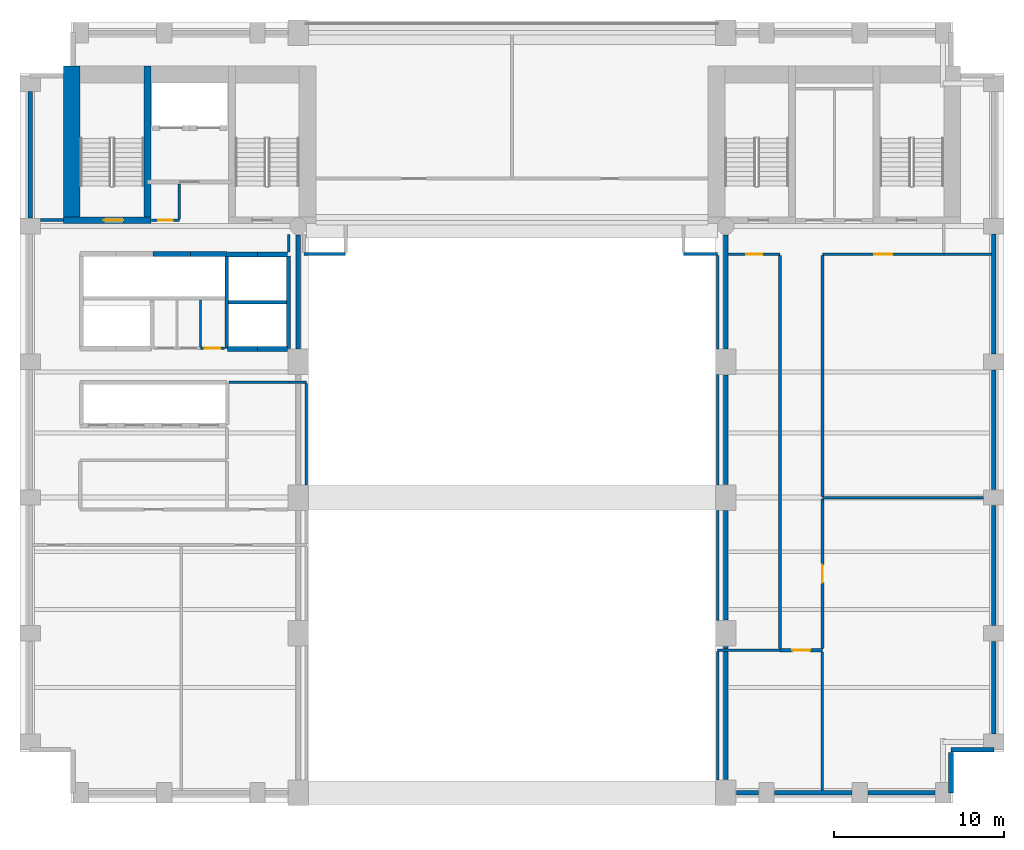
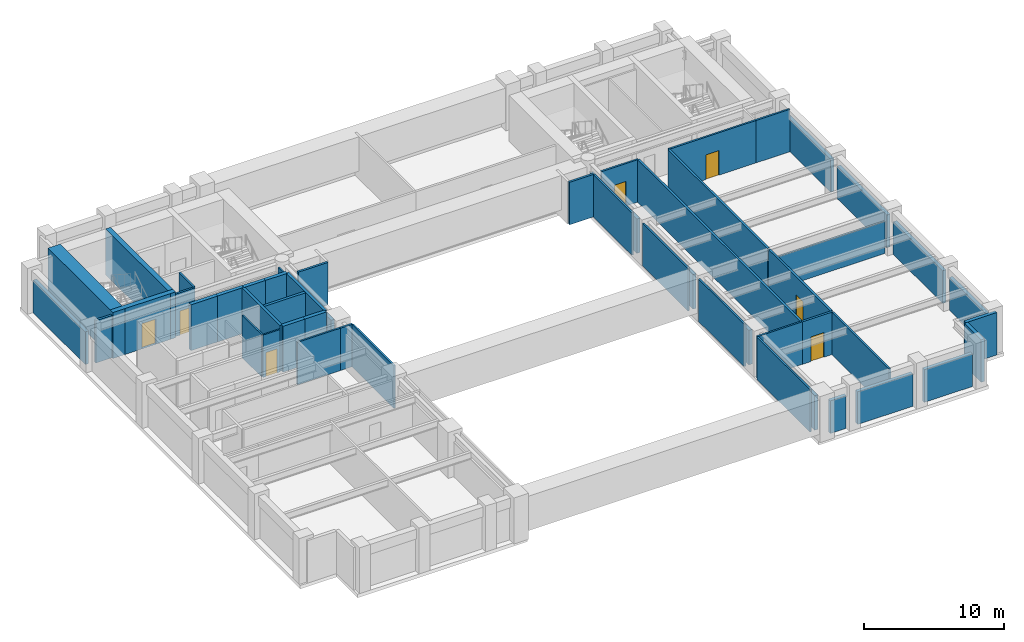
# One storey, part 3 of 8: 52 walls, 7 doors, 7 openings.
"""IFC4 building model written with IfcOpenShell, lengths in metres."""

from ifc_helpers import new_model, si_unit, direction, frame, frame_2d, origin, place, context, subcontext, project, spatial, rectangle, extrude, material, layer, layer_set, type_object, element, fill, save


model = new_model("IFC4")

# Units and contexts
model_context = context("Model", 3, precision=1e-05, world=origin(), true_north=direction((0.0, 1.0)))
body_context = subcontext(model_context, "Body", "Model", "MODEL_VIEW")
ifc_project = project(units=[si_unit("LENGTHUNIT", "METRE"), si_unit("AREAUNIT", "SQUARE_METRE"), si_unit("VOLUMEUNIT", "CUBIC_METRE"), si_unit("PLANEANGLEUNIT", "RADIAN"), si_unit("MASSUNIT", "GRAM", prefix="KILO")], contexts=[model_context])

# Site, building, storey
site_placement = place(None, origin())
site = spatial("IfcSite", under=ifc_project, at=site_placement, CompositionType="ELEMENT")
building_placement = place(site_placement, origin())
building = spatial("IfcBuilding", under=site, at=building_placement, Name="Sulina Concourse Tower", CompositionType="ELEMENT")
storey_placement = place(building_placement, frame((0.0, 0.0, 42.60009765625)))
storey = spatial("IfcBuildingStorey", under=building, at=storey_placement, Name="L10", CompositionType="ELEMENT", Elevation=42.60009765625)

# Walls
ifc_material_1 = material(Name="Concrete C50/60", Category="concrete")
ifc_layer_1 = layer(ifc_material_1, 0.219970703125)
ifc_layer_set_1 = layer_set([ifc_layer_1], Name="Concrete C50/60")
wall_type_1 = type_object("IfcWallType", Name="Core Lift Hoistway Divider Wall 220mm", PredefinedType="SOLIDWALL", material=ifc_layer_set_1)
for number, where, z_axis, x_axis, name in (
    (1, (12.179931640625, 26.800048828125, 0.0), (0.0, 0.0, 1.0), (0.0, 1.0, 0.0), "L10 shaft divider wall HW-LP2-W"),
    (2, (15.820068359375, 26.800048828125, 0.0), (0.0, 0.0, 1.0), (0.0, 1.0, 0.0), "L10 shaft divider wall HW-LP2-E"),
):
    element("IfcWall", number, at=place(storey_placement, frame(where, z_axis=z_axis, x_axis=x_axis)), inside=storey, type_object=wall_type_1, Name=name, PredefinedType="SOLIDWALL", context=body_context, shape_type="SweptSolid", body=[
        extrude(rectangle(XDim=5.449951171875, YDim=0.219970703125, at=frame_2d((2.72509765625, 0.0))), origin(), (0.0, 0.0, 1.0), 4.0),
    ])
wall_1_placement = place(storey_placement, frame((12.300048828125, 29.52001953125, 0.0), z_axis=(0.0, 0.0, 1.0), x_axis=(1.0, 0.0, 0.0)))
element("IfcWall", 3, at=wall_1_placement, inside=storey, type_object=wall_type_1, Name="L10 shaft divider wall HW-LP2-M", PredefinedType="SOLIDWALL", context=body_context, shape_type="SweptSolid", body=[
    extrude(rectangle(XDim=3.39990234375, YDim=0.219970703125, at=frame_2d((1.699951171875, 0.0))), origin(), (0.0, 0.0, 1.0), 4.0),
])
ifc_material_2 = material(Name="Concrete C50/60", Category="concrete")
ifc_layer_2 = layer(ifc_material_2, 0.300048828125)
ifc_layer_set_2 = layer_set([ifc_layer_2], Name="Concrete C50/60")
wall_type_2 = type_object("IfcWallType", Name="Core Lift Hoistway Wall 300mm", PredefinedType="SOLIDWALL", material=ifc_layer_set_2)
for number, where, z_axis, x_axis, name in (
    (4, (14.0, 26.75, 0.0), (0.0, 0.0, 1.0), (-1.0, 0.0, 0.0), "L10 hoistway enclosure wall LP-05"),
    (5, (15.780029296875, 26.75, 0.0), (0.0, 0.0, 1.0), (-1.0, 0.0, 0.0), "L10 hoistway enclosure wall LP-06"),
    (6, (12.219970703125, 32.320068359375, 0.0), (0.0, 0.0, 1.0), (1.0, 0.0, 0.0), "L10 hoistway enclosure wall LP-07"),
    (7, (14.0, 32.320068359375, 0.0), (0.0, 0.0, 1.0), (1.0, 0.0, 0.0), "L10 hoistway enclosure wall LP-08"),
):
    element("IfcWall", number, at=place(storey_placement, frame(where, z_axis=z_axis, x_axis=x_axis)), inside=storey, type_object=wall_type_2, Name=name, PredefinedType="SOLIDWALL", context=body_context, shape_type="SweptSolid", body=[
        extrude(rectangle(XDim=1.780029296875, YDim=0.300048828125, at=frame_2d((0.89013671875, 0.0))), origin(), (0.0, 0.0, 1.0), 4.0),
    ])
wall_2_placement = place(storey_placement, frame((7.85009765625, 32.35009765625, 0.0), z_axis=(0.0, 0.0, 1.0), x_axis=(1.0, 0.0, 0.0)))
element("IfcWall", 8, at=wall_2_placement, inside=storey, type_object=wall_type_2, Name="L10 hoistway enclosure wall LP-11", PredefinedType="SOLIDWALL", context=body_context, shape_type="SweptSolid", body=[
    extrude(rectangle(XDim=2.199951171875, YDim=0.300048828125, at=frame_2d((1.10009765625, 0.0))), origin(), (0.0, 0.0, 1.0), 4.0),
])
wall_3_placement = place(storey_placement, frame((10.050048828125, 32.35009765625, 0.0), z_axis=(0.0, 0.0, 1.0), x_axis=(1.0, 0.0, 0.0)))
element("IfcWall", 9, at=wall_3_placement, inside=storey, type_object=wall_type_2, Name="L10 hoistway enclosure wall LP-12", PredefinedType="SOLIDWALL", context=body_context, shape_type="SweptSolid", body=[
    extrude(rectangle(XDim=2.14990234375, YDim=0.300048828125, at=frame_2d((1.074951171875, 0.0))), origin(), (0.0, 0.0, 1.0), 4.0),
])
ifc_material_3 = material(Name="Gypsum board on steel stud", Category="steel")
ifc_layer_3 = layer(ifc_material_3, 0.14990234375)
ifc_layer_set_3 = layer_set([ifc_layer_3], Name="Gypsum board on steel stud")
wall_type_3 = type_object("IfcWallType", Name="Inter-Tenancy Acoustic Partition 150mm", PredefinedType="PARTITIONING", material=ifc_layer_set_3)
wall_4_placement = place(storey_placement, frame((41.1201171875, 9.0, 0.0), z_axis=(0.0, 0.0, 1.0), x_axis=(1.0, 0.0, 0.0)))
element("IfcWall", 10, at=wall_4_placement, inside=storey, type_object=wall_type_3, Name="L10 interior partition 001", PredefinedType="PARTITIONING", context=body_context, shape_type="SweptSolid", body=[
    extrude(rectangle(XDim=3.679931640625, YDim=0.14990234375, at=frame_2d((1.83984375, 0.0))), origin(), (0.0, 0.0, 1.0), 3.699951171875),
])
wall_5_placement = place(storey_placement, frame((47.300048828125, 18.0, 0.0), z_axis=(0.0, 0.0, 1.0), x_axis=(1.0, 0.0, 0.0)))
element("IfcWall", 11, at=wall_5_placement, inside=storey, type_object=wall_type_3, Name="L10 interior partition 008", PredefinedType="PARTITIONING", context=body_context, shape_type="SweptSolid", body=[
    extrude(rectangle(XDim=9.5, YDim=0.14990234375, at=frame_2d((4.75, 0.0))), origin(), (0.0, 0.0, 1.0), 2.784912109375),
])
wall_6_placement = place(storey_placement, frame((12.330078125, 24.800048828125, 0.0), z_axis=(0.0, 0.0, 1.0), x_axis=(1.0, 0.0, 0.0)))
element("IfcWall", 12, at=wall_6_placement, inside=storey, type_object=wall_type_3, Name="L10 interior partition 010", PredefinedType="PARTITIONING", context=body_context, shape_type="SweptSolid", body=[
    extrude(rectangle(XDim=3.52001953125, YDim=0.14990234375, at=frame_2d((1.760009765625, 0.0))), origin(), (0.0, 0.0, 1.0), 3.699951171875),
])
wall_7_placement = place(storey_placement, frame((15.85009765625, 24.800048828125, 0.0), z_axis=(0.0, 0.0, 1.0), x_axis=(1.0, 0.0, 0.0)))
element("IfcWall", 13, at=wall_7_placement, inside=storey, type_object=wall_type_3, Name="L10 interior partition 011", PredefinedType="PARTITIONING", context=body_context, shape_type="SweptSolid", body=[
    extrude(rectangle(XDim=1.02978515625, YDim=0.14990234375, at=frame_2d((0.514892578125, 0.0))), origin(), (0.0, 0.0, 1.0), 3.699951171875),
])

# Wall, opening, door
wall_8_placement = place(storey_placement, frame((41.739990234375, 32.35009765625, 0.0), z_axis=(0.0, 0.0, 1.0), x_axis=(1.0, 0.0, 0.0)))
wall_8 = element("IfcWall", 14, at=wall_8_placement, inside=storey, type_object=wall_type_3, Name="L10 interior partition 017", PredefinedType="PARTITIONING", context=body_context, shape_type="SweptSolid", body=[
    extrude(rectangle(XDim=3.06005859375, YDim=0.14990234375, at=frame_2d((1.530029296875, 0.0))), origin(), (0.0, 0.0, 1.0), 3.699951171875),
])
opening_1_placement = place(wall_8_placement, frame((1.054931640625, 0.0, 0.0)))
opening_1 = element("IfcOpeningElement", 15, at=opening_1_placement, cuts=wall_8, Name="Opening DR-19", PredefinedType="OPENING", context=body_context, shape_type="SweptSolid", body=[
    extrude(rectangle(XDim=0.949951171875, YDim=2.14990234375, at=frame_2d((0.47509765625, 1.074951171875))), frame((0.0, 0.0849609375, 0.0), z_axis=(0.0, -1.0, 0.0), x_axis=(1.0, 0.0, 0.0)), (0.0, 0.0, 1.0), 0.169921875),
])
ifc_material_4 = material(Name="Oak-veneered acoustic timber leaf", Category="wood")
ifc_layer_4 = layer(ifc_material_4, 0.050048828125)
ifc_layer_set_4 = layer_set([ifc_layer_4], Name="Oak-veneered acoustic timber leaf")
door_type_1 = type_object("IfcDoorType", Name="Cellular Office & Meeting Door 950x2150", OperationType="NOTDEFINED", PredefinedType="DOOR", material=ifc_layer_set_4)
door_1_placement = place(opening_1_placement, origin())
door_1 = element("IfcDoor", 16, at=door_1_placement, inside=storey, type_object=door_type_1, Name="L10 interior door L10-MTG-E1", OperationType="SINGLE_SWING_RIGHT", OverallHeight=2.14990234375, OverallWidth=0.949951171875, PredefinedType="DOOR", context=body_context, shape_type="SweptSolid", body=[
    extrude(rectangle(XDim=0.949951171875, YDim=2.14990234375, at=frame_2d((0.47509765625, 1.074951171875))), frame((0.0, 0.02490234375, 0.0), z_axis=(0.0, -1.0, 0.0), x_axis=(1.0, 0.0, 0.0)), (0.0, 0.0, 1.0), 0.050048828125),
])
fill(opening_1, door_1)

wall_9_placement = place(storey_placement, frame((47.300048828125, 32.35009765625, 0.0), z_axis=(0.0, 0.0, 1.0), x_axis=(1.0, 0.0, 0.0)))
wall_9 = element("IfcWall", 17, at=wall_9_placement, inside=storey, type_object=wall_type_3, Name="L10 interior partition 018", PredefinedType="PARTITIONING", context=body_context, shape_type="SweptSolid", body=[
    extrude(rectangle(XDim=7.14990234375, YDim=0.14990234375, at=frame_2d((3.574951171875, 0.0))), origin(), (0.0, 0.0, 1.0), 3.699951171875),
])
opening_2_placement = place(wall_9_placement, frame((3.050048828125, 0.0, 0.0)))
opening_2 = element("IfcOpeningElement", 18, at=opening_2_placement, cuts=wall_9, Name="Opening DR-37", PredefinedType="OPENING", context=body_context, shape_type="SweptSolid", body=[
    extrude(rectangle(XDim=1.050048828125, YDim=2.14990234375, at=frame_2d((0.52490234375, 1.074951171875))), frame((0.0, 0.0849609375, 0.0), z_axis=(0.0, -1.0, 0.0), x_axis=(1.0, 0.0, 0.0)), (0.0, 0.0, 1.0), 0.169921875),
])
ifc_material_5 = material(Name="Oak-veneered fire door leaf")
ifc_layer_5 = layer(ifc_material_5, 0.050048828125)
ifc_layer_set_5 = layer_set([ifc_layer_5], Name="Oak-veneered fire door leaf")
door_type_2 = type_object("IfcDoorType", Name="Tenant Suite Entrance Fire Door 1050x2150", OperationType="NOTDEFINED", PredefinedType="DOOR", material=ifc_layer_set_5)
door_2_placement = place(opening_2_placement, origin())
door_2 = element("IfcDoor", 19, at=door_2_placement, inside=storey, type_object=door_type_2, Name="L10 interior door L10-PNT-E1", OperationType="SINGLE_SWING_LEFT", OverallHeight=2.14990234375, OverallWidth=1.050048828125, PredefinedType="DOOR", context=body_context, shape_type="SweptSolid", body=[
    extrude(rectangle(XDim=1.050048828125, YDim=2.14990234375, at=frame_2d((0.52490234375, 1.074951171875))), frame((0.0, 0.02490234375, 0.0), z_axis=(0.0, -1.0, 0.0), x_axis=(1.0, 0.0, 0.0)), (0.0, 0.0, 1.0), 0.050048828125),
])
fill(opening_2, door_2)

# Wall
wall_10_placement = place(storey_placement, frame((54.449951171875, 32.35009765625, 0.0), z_axis=(0.0, 0.0, 1.0), x_axis=(1.0, 0.0, 0.0)))
element("IfcWall", 20, at=wall_10_placement, inside=storey, type_object=wall_type_3, Name="L10 interior partition 019", PredefinedType="PARTITIONING", context=body_context, shape_type="SweptSolid", body=[
    extrude(rectangle(XDim=2.81005859375, YDim=0.14990234375, at=frame_2d((1.405029296875, 0.0))), origin(), (0.0, 0.0, 1.0), 3.699951171875),
])

# Wall, opening, door
wall_11_placement = place(storey_placement, frame((7.75, 34.35009765625, 0.0), z_axis=(0.0, 0.0, 1.0), x_axis=(1.0, 0.0, 0.0)))
wall_11 = element("IfcWall", 21, at=wall_11_placement, inside=storey, type_object=wall_type_3, Name="L10 interior partition 021", PredefinedType="PARTITIONING", context=body_context, shape_type="SweptSolid", body=[
    extrude(rectangle(XDim=1.64990234375, YDim=0.14990234375, at=frame_2d((0.824951171875, 0.0))), origin(), (0.0, 0.0, 1.0), 3.699951171875),
])
opening_3_placement = place(wall_11_placement, frame((0.385009765625, 0.0, 0.0)))
opening_3 = element("IfcOpeningElement", 22, at=opening_3_placement, cuts=wall_11, Name="Opening DR-38", PredefinedType="OPENING", context=body_context, shape_type="SweptSolid", body=[
    extrude(rectangle(XDim=0.8798828125, YDim=2.10009765625, at=frame_2d((0.43994140625, 1.050048828125))), frame((0.0, 0.0849609375, 0.0), z_axis=(0.0, -1.0, 0.0), x_axis=(1.0, 0.0, 0.0)), (0.0, 0.0, 1.0), 0.169921875),
])
ifc_material_6 = material(Name="Galvanised steel acoustic fire leaf", Category="steel")
ifc_layer_6 = layer(ifc_material_6, 0.050048828125)
ifc_layer_set_6 = layer_set([ifc_layer_6], Name="Galvanised steel acoustic fire leaf")
door_type_3 = type_object("IfcDoorType", Name="Service Riser Fire Door 880x2100", OperationType="NOTDEFINED", PredefinedType="DOOR", material=ifc_layer_set_6)
door_3_placement = place(opening_3_placement, origin())
door_3 = element("IfcDoor", 23, at=door_3_placement, inside=storey, type_object=door_type_3, Name="L10 interior door L10-CLN-N", OperationType="SINGLE_SWING_RIGHT", OverallHeight=2.10009765625, OverallWidth=0.8798828125, PredefinedType="DOOR", context=body_context, shape_type="SweptSolid", body=[
    extrude(rectangle(XDim=0.8798828125, YDim=2.10009765625, at=frame_2d((0.43994140625, 1.050048828125))), frame((0.0, 0.02490234375, 0.0), z_axis=(0.0, -1.0, 0.0), x_axis=(1.0, 0.0, 0.0)), (0.0, 0.0, 1.0), 0.050048828125),
])
fill(opening_3, door_3)

# Walls
wall_12_placement = place(storey_placement, frame((9.39990234375, 34.425048828125, 0.0), z_axis=(0.0, 0.0, 1.0), x_axis=(0.0, 1.0, 0.0)))
element("IfcWall", 24, at=wall_12_placement, inside=storey, type_object=wall_type_3, Name="L10 interior partition 028", PredefinedType="PARTITIONING", context=body_context, shape_type="SweptSolid", body=[
    extrude(rectangle(XDim=2.06494140625, YDim=0.14990234375, at=frame_2d((1.032470703125, 0.0))), origin(), (0.0, 0.0, 1.0), 3.699951171875),
])
wall_13_placement = place(storey_placement, frame((15.85009765625, 32.469970703125, 0.0), z_axis=(0.0, 0.0, 1.0), x_axis=(0.0, 1.0, 0.0)))
element("IfcWall", 25, at=wall_13_placement, inside=storey, type_object=wall_type_3, Name="L10 interior partition 033", PredefinedType="PARTITIONING", context=body_context, shape_type="SweptSolid", body=[
    extrude(rectangle(XDim=1.030029296875, YDim=0.14990234375, at=frame_2d((0.51513671875, 0.0))), origin(), (0.0, 0.0, 1.0), 3.699951171875),
])
wall_14_placement = place(storey_placement, frame((16.8798828125, 18.75, 0.0), z_axis=(0.0, 0.0, 1.0), x_axis=(0.0, 1.0, 0.0)))
element("IfcWall", 26, at=wall_14_placement, inside=storey, type_object=wall_type_3, Name="L10 interior partition 038", PredefinedType="PARTITIONING", context=body_context, shape_type="SweptSolid", body=[
    extrude(rectangle(XDim=5.97509765625, YDim=0.14990234375, at=frame_2d((2.987548828125, 0.0))), origin(), (0.0, 0.0, 1.0), 3.699951171875),
])
wall_15_placement = place(storey_placement, frame((41.1201171875, 1.35009765625, 0.0), z_axis=(0.0, 0.0, 1.0), x_axis=(0.0, 1.0, 0.0)))
element("IfcWall", 27, at=wall_15_placement, inside=storey, type_object=wall_type_3, Name="L10 interior partition 042", PredefinedType="PARTITIONING", context=body_context, shape_type="SweptSolid", body=[
    extrude(rectangle(XDim=7.574951171875, YDim=0.14990234375, at=frame_2d((3.78759765625, 0.0))), origin(), (0.0, 0.0, 1.0), 3.699951171875),
])
for number, where, z_axis, x_axis, name in (
    (28, (41.1201171875, 10.75, 0.0), (0.0, 0.0, 1.0), (0.0, 1.0, 0.0), "L10 interior partition 043"),
    (29, (41.1201171875, 18.75, 0.0), (0.0, 0.0, 1.0), (0.0, 1.0, 0.0), "L10 interior partition 044"),
):
    element("IfcWall", number, at=place(storey_placement, frame(where, z_axis=z_axis, x_axis=x_axis)), inside=storey, type_object=wall_type_3, Name=name, PredefinedType="PARTITIONING", context=body_context, shape_type="SweptSolid", body=[
        extrude(rectangle(XDim=6.5, YDim=0.14990234375, at=frame_2d((3.25, 0.0))), origin(), (0.0, 0.0, 1.0), 3.699951171875),
    ])
wall_16_placement = place(storey_placement, frame((41.1201171875, 26.75, 0.0), z_axis=(0.0, 0.0, 1.0), x_axis=(0.0, 1.0, 0.0)))
element("IfcWall", 30, at=wall_16_placement, inside=storey, type_object=wall_type_3, Name="L10 interior partition 045", PredefinedType="PARTITIONING", context=body_context, shape_type="SweptSolid", body=[
    extrude(rectangle(XDim=5.510009765625, YDim=0.14990234375, at=frame_2d((2.7548828125, 0.0))), origin(), (0.0, 0.0, 1.0), 3.699951171875),
])
wall_17_placement = place(storey_placement, frame((47.300048828125, 0.739990234375, 0.0), z_axis=(0.0, 0.0, 1.0), x_axis=(0.0, 1.0, 0.0)))
element("IfcWall", 31, at=wall_17_placement, inside=storey, type_object=wall_type_3, Name="L10 interior partition 047", PredefinedType="PARTITIONING", context=body_context, shape_type="SweptSolid", body=[
    extrude(rectangle(XDim=8.169921875, YDim=0.14990234375, at=frame_2d((4.0849609375, 0.0))), origin(), (0.0, 0.0, 1.0), 3.699951171875),
])

# Wall, opening, door
ifc_material_7 = material(Name="Gypsum board on steel stud", Category="steel")
ifc_layer_7 = layer(ifc_material_7, 0.179931640625)
ifc_layer_set_7 = layer_set([ifc_layer_7], Name="Gypsum board on steel stud")
wall_type_4 = type_object("IfcWallType", Name="Protected Corridor & Riser Partition 180mm", PredefinedType="PARTITIONING", material=ifc_layer_set_7)
wall_18_placement = place(storey_placement, frame((44.800048828125, 9.0, 0.0), z_axis=(0.0, 0.0, 1.0), x_axis=(1.0, 0.0, 0.0)))
wall_18 = element("IfcWall", 32, at=wall_18_placement, inside=storey, type_object=wall_type_4, Name="L10 interior partition 002", PredefinedType="PARTITIONING", context=body_context, shape_type="SweptSolid", body=[
    extrude(rectangle(XDim=2.5, YDim=0.179931640625, at=frame_2d((1.25, 0.0))), origin(), (0.0, 0.0, 1.0), 3.699951171875),
])
opening_4_placement = place(wall_18_placement, frame((0.72509765625, 0.0, 0.0)))
opening_4 = element("IfcOpeningElement", 33, at=opening_4_placement, cuts=wall_18, Name="Opening DR-37", PredefinedType="OPENING", context=body_context, shape_type="SweptSolid", body=[
    extrude(rectangle(XDim=1.050048828125, YDim=2.14990234375, at=frame_2d((0.52490234375, 1.074951171875))), frame((0.0, 0.099853515625, 0.0), z_axis=(0.0, -1.0, 0.0), x_axis=(1.0, 0.0, 0.0)), (0.0, 0.0, 1.0), 0.199951171875),
])
door_4_placement = place(opening_4_placement, origin())
door_4 = element("IfcDoor", 34, at=door_4_placement, inside=storey, type_object=door_type_2, Name="L10 interior door L10-OFF-E2", OperationType="SINGLE_SWING_RIGHT", OverallHeight=2.14990234375, OverallWidth=1.050048828125, PredefinedType="DOOR", context=body_context, shape_type="SweptSolid", body=[
    extrude(rectangle(XDim=1.050048828125, YDim=2.14990234375, at=frame_2d((0.52490234375, 1.074951171875))), frame((0.0, 0.02490234375, 0.0), z_axis=(0.0, -1.0, 0.0), x_axis=(1.0, 0.0, 0.0)), (0.0, 0.0, 1.0), 0.050048828125),
])
fill(opening_4, door_4)

# Walls
wall_19_placement = place(storey_placement, frame((16.75, 32.35009765625, 0.0), z_axis=(0.0, 0.0, 1.0), x_axis=(1.0, 0.0, 0.0)))
element("IfcWall", 35, at=wall_19_placement, inside=storey, type_object=wall_type_4, Name="L10 interior partition 015", PredefinedType="PARTITIONING", context=body_context, shape_type="SweptSolid", body=[
    extrude(rectangle(XDim=2.449951171875, YDim=0.179931640625, at=frame_2d((1.22509765625, 0.0))), origin(), (0.0, 0.0, 1.0), 3.699951171875),
])
wall_20_placement = place(storey_placement, frame((39.10009765625, 32.35009765625, 0.0), z_axis=(0.0, 0.0, 1.0), x_axis=(1.0, 0.0, 0.0)))
element("IfcWall", 36, at=wall_20_placement, inside=storey, type_object=wall_type_4, Name="L10 interior partition 016", PredefinedType="PARTITIONING", context=body_context, shape_type="SweptSolid", body=[
    extrude(rectangle(XDim=2.02001953125, YDim=0.179931640625, at=frame_2d((1.010009765625, 0.0))), origin(), (0.0, 0.0, 1.0), 3.699951171875),
])
wall_21_placement = place(storey_placement, frame((1.199951171875, 34.35009765625, 0.0), z_axis=(0.0, 0.0, 1.0), x_axis=(1.0, 0.0, 0.0)))
element("IfcWall", 37, at=wall_21_placement, inside=storey, type_object=wall_type_4, Name="L10 interior partition 020", PredefinedType="PARTITIONING", context=body_context, shape_type="SweptSolid", body=[
    extrude(rectangle(XDim=1.35009765625, YDim=0.179931640625, at=frame_2d((0.675048828125, 0.0))), origin(), (0.0, 0.0, 1.0), 3.699951171875),
])
wall_22_placement = place(storey_placement, frame((44.800048828125, 9.090087890625, 0.0), z_axis=(0.0, 0.0, 1.0), x_axis=(0.0, 1.0, 0.0)))
element("IfcWall", 38, at=wall_22_placement, inside=storey, type_object=wall_type_4, Name="L10 interior partition 046", PredefinedType="PARTITIONING", context=body_context, shape_type="SweptSolid", body=[
    extrude(rectangle(XDim=23.184814453125, YDim=0.179931640625, at=frame_2d((11.59228515625, 0.0))), origin(), (0.0, 0.0, 1.0), 3.699951171875),
])

# Wall, opening, door
wall_23_placement = place(storey_placement, frame((47.300048828125, 9.090087890625, 0.0), z_axis=(0.0, 0.0, 1.0), x_axis=(0.0, 1.0, 0.0)))
wall_23 = element("IfcWall", 39, at=wall_23_placement, inside=storey, type_object=wall_type_4, Name="L10 interior partition 048", PredefinedType="PARTITIONING", context=body_context, shape_type="SweptSolid", body=[
    extrude(rectangle(XDim=8.8349609375, YDim=0.179931640625, at=frame_2d((4.41748046875, 0.0))), origin(), (0.0, 0.0, 1.0), 3.699951171875),
])
opening_5_placement = place(wall_23_placement, frame((3.892578125, 0.0, 0.0)))
opening_5 = element("IfcOpeningElement", 40, at=opening_5_placement, cuts=wall_23, Name="Opening DR-37", PredefinedType="OPENING", context=body_context, shape_type="SweptSolid", body=[
    extrude(rectangle(XDim=1.050048828125, YDim=2.14990234375, at=frame_2d((0.52490234375, 1.074951171875))), frame((0.0, 0.099853515625, 0.0), z_axis=(0.0, -1.0, 0.0), x_axis=(1.0, 0.0, 0.0)), (0.0, 0.0, 1.0), 0.199951171875),
])
door_5_placement = place(opening_5_placement, origin())
door_5 = element("IfcDoor", 41, at=door_5_placement, inside=storey, type_object=door_type_2, Name="L10 interior door L10-OFF-E1", OperationType="SINGLE_SWING_RIGHT", OverallHeight=2.14990234375, OverallWidth=1.050048828125, PredefinedType="DOOR", context=body_context, shape_type="SweptSolid", body=[
    extrude(rectangle(XDim=1.050048828125, YDim=2.14990234375, at=frame_2d((0.52490234375, 1.074951171875))), frame((0.0, 0.02490234375, 0.0), z_axis=(0.0, -1.0, 0.0), x_axis=(1.0, 0.0, 0.0)), (0.0, 0.0, 1.0), 0.050048828125),
])
fill(opening_5, door_5)

# Wall
wall_24_placement = place(storey_placement, frame((47.300048828125, 18.074951171875, 0.0), z_axis=(0.0, 0.0, 1.0), x_axis=(0.0, 1.0, 0.0)))
element("IfcWall", 42, at=wall_24_placement, inside=storey, type_object=wall_type_4, Name="L10 interior partition 049", PredefinedType="PARTITIONING", context=body_context, shape_type="SweptSolid", body=[
    extrude(rectangle(XDim=14.199951171875, YDim=0.179931640625, at=frame_2d((7.10009765625, 0.0))), origin(), (0.0, 0.0, 1.0), 3.699951171875),
])

# Wall, opening, door
ifc_material_8 = material(Name="Concrete C60/75", Category="concrete")
ifc_layer_8 = layer(ifc_material_8, 0.39990234375)
ifc_layer_set_8 = layer_set([ifc_layer_8], Name="Concrete C60/75")
wall_type_5 = type_object("IfcWallType", Name="Protected Stair Core Shear Wall 400mm", PredefinedType="SHEAR", material=ifc_layer_set_8)
wall_25_placement = place(storey_placement, frame((2.550048828125, 34.35009765625, 0.0), z_axis=(0.0, 0.0, 1.0), x_axis=(1.0, 0.0, 0.0)))
wall_25 = element("IfcWall", 43, at=wall_25_placement, inside=storey, type_object=wall_type_5, Name="L10 west core shear wall CW-WS1", PredefinedType="SHEAR", context=body_context, shape_type="SweptSolid", body=[
    extrude(rectangle(XDim=5.159912109375, YDim=0.39990234375, at=frame_2d((2.580078125, 0.0))), origin(), (0.0, 0.0, 1.0), 4.0),
])
opening_6_placement = place(wall_25_placement, frame((2.39990234375, 0.0, 0.0)))
opening_6 = element("IfcOpeningElement", 44, at=opening_6_placement, cuts=wall_25, Name="Opening DR-60", PredefinedType="OPENING", context=body_context, shape_type="SweptSolid", body=[
    extrude(rectangle(XDim=1.14990234375, YDim=2.199951171875, at=frame_2d((0.574951171875, 1.10009765625))), frame((0.0, 0.2099609375, 0.0), z_axis=(0.0, -1.0, 0.0), x_axis=(1.0, 0.0, 0.0)), (0.0, 0.0, 1.0), 0.419921875),
])
ifc_material_9 = material(Name="Galvanised steel acoustic fire leaf", Category="steel")
ifc_layer_9 = layer(ifc_material_9, 0.054931640625)
ifc_layer_set_9 = layer_set([ifc_layer_9], Name="Galvanised steel acoustic fire leaf")
door_type_4 = type_object("IfcDoorType", Name="Protected Exit Stair Fire Door 1150x2200", OperationType="NOTDEFINED", PredefinedType="DOOR", material=ifc_layer_set_9)
door_6_placement = place(opening_6_placement, origin())
door_6 = element("IfcDoor", 45, at=door_6_placement, inside=storey, type_object=door_type_4, Name="L10 stair ST-1 lobby fire door", OperationType="SINGLE_SWING_LEFT", OverallHeight=2.199951171875, OverallWidth=1.14990234375, PredefinedType="DOOR", context=body_context, shape_type="SweptSolid", body=[
    extrude(rectangle(XDim=1.14990234375, YDim=2.199951171875, at=frame_2d((0.574951171875, 1.10009765625))), frame((0.0, 0.02490234375, 0.0), z_axis=(0.0, -1.0, 0.0), x_axis=(1.0, 0.0, 0.0)), (0.0, 0.0, 1.0), 0.050048828125),
])
fill(opening_6, door_6)

# Walls
wall_26_placement = place(storey_placement, frame((7.510009765625, 34.14990234375, 0.0), z_axis=(0.0, 0.0, 1.0), x_axis=(0.0, 1.0, 0.0)))
element("IfcWall", 46, at=wall_26_placement, inside=storey, type_object=wall_type_5, Name="L10 west core shear wall SW-ST1", PredefinedType="SHEAR", context=body_context, shape_type="SweptSolid", body=[
    extrude(rectangle(XDim=9.280029296875, YDim=0.39990234375, at=frame_2d((4.64013671875, 0.0))), origin(), (0.0, 0.0, 1.0), 4.0),
])
ifc_material_10 = material(Name="Concrete C80/95", Category="concrete")
ifc_layer_10 = layer(ifc_material_10, 1.0)
ifc_layer_set_10 = layer_set([ifc_layer_10], Name="Concrete C80/95")
wall_type_6 = type_object("IfcWallType", Name="Rear Core Shear Wall 1000mm", PredefinedType="SHEAR", material=ifc_layer_set_10)
wall_27_placement = place(storey_placement, frame((3.050048828125, 34.14990234375, 0.0), z_axis=(0.0, 0.0, 1.0), x_axis=(0.0, 1.0, 0.0)))
element("IfcWall", 47, at=wall_27_placement, inside=storey, type_object=wall_type_6, Name="L10 west core shear wall CW-WW", PredefinedType="SHEAR", context=body_context, shape_type="SweptSolid", body=[
    extrude(rectangle(XDim=9.280029296875, YDim=1.0, at=frame_2d((4.64013671875, 0.0))), origin(), (0.0, 0.0, 1.0), 4.0),
])
ifc_material_11 = material(Name="Precast concrete C50/60", Category="concrete")
ifc_layer_11 = layer(ifc_material_11, 0.280029296875)
ifc_layer_set_11 = layer_set([ifc_layer_11], Name="Precast concrete C50/60")
wall_type_7 = type_object("IfcWallType", Name="Typical Precast Masonry-Frame Facade Wall 280mm", PredefinedType="SOLIDWALL", material=ifc_layer_set_11)
wall_28_placement = place(storey_placement, frame((43.530029296875, 0.60009765625, 0.0), z_axis=(0.0, 0.0, 1.0), x_axis=(-1.0, 0.0, 0.0)))
element("IfcWall", 48, at=wall_28_placement, inside=storey, type_object=wall_type_7, Name="L10 exterior precast wall S5", PredefinedType="SOLIDWALL", context=body_context, shape_type="SweptSolid", body=[
    extrude(rectangle(XDim=1.31005859375, YDim=0.280029296875, at=frame_2d((0.655029296875, 0.0))), origin(), (0.0, 0.0, 1.0), 2.849853515625),
])
wall_29_placement = place(storey_placement, frame((49.030029296875, 0.60009765625, 0.0), z_axis=(0.0, 0.0, 1.0), x_axis=(-1.0, 0.0, 0.0)))
element("IfcWall", 49, at=wall_29_placement, inside=storey, type_object=wall_type_7, Name="L10 exterior precast wall S6", PredefinedType="SOLIDWALL", context=body_context, shape_type="SweptSolid", body=[
    extrude(rectangle(XDim=4.56005859375, YDim=0.280029296875, at=frame_2d((2.280029296875, 0.0))), origin(), (0.0, 0.0, 1.0), 2.849853515625),
])
wall_30_placement = place(storey_placement, frame((53.929931640625, 0.60009765625, 0.0), z_axis=(0.0, 0.0, 1.0), x_axis=(-1.0, 0.0, 0.0)))
element("IfcWall", 50, at=wall_30_placement, inside=storey, type_object=wall_type_7, Name="L10 exterior precast wall S7", PredefinedType="SOLIDWALL", context=body_context, shape_type="SweptSolid", body=[
    extrude(rectangle(XDim=3.9599609375, YDim=0.280029296875, at=frame_2d((1.97998046875, 0.0))), origin(), (0.0, 0.0, 1.0), 2.849853515625),
])
wall_31_placement = place(storey_placement, frame((0.60009765625, 34.469970703125, 0.0), z_axis=(0.0, 0.0, 1.0), x_axis=(0.0, 1.0, 0.0)))
element("IfcWall", 51, at=wall_31_placement, inside=storey, type_object=wall_type_7, Name="L10 exterior precast wall W5", PredefinedType="SOLIDWALL", context=body_context, shape_type="SweptSolid", body=[
    extrude(rectangle(XDim=7.4599609375, YDim=0.280029296875, at=frame_2d((3.72998046875, 0.0))), origin(), (0.0, 0.0, 1.0), 2.849853515625),
])
wall_32_placement = place(storey_placement, frame((57.39990234375, 9.530029296875, 0.0), z_axis=(0.0, 0.0, 1.0), x_axis=(0.0, -1.0, 0.0)))
element("IfcWall", 52, at=wall_32_placement, inside=storey, type_object=wall_type_7, Name="L10 exterior precast wall E1", PredefinedType="SOLIDWALL", context=body_context, shape_type="SweptSolid", body=[
    extrude(rectangle(XDim=5.4599609375, YDim=0.280029296875, at=frame_2d((2.72998046875, 0.0))), origin(), (0.0, 0.0, 1.0), 2.849853515625),
])
for number, where, z_axis, x_axis, name in (
    (53, (57.39990234375, 17.530029296875, 0.0), (0.0, 0.0, 1.0), (0.0, -1.0, 0.0), "L10 exterior precast wall E2"),
    (54, (57.39990234375, 25.530029296875, 0.0), (0.0, 0.0, 1.0), (0.0, -1.0, 0.0), "L10 exterior precast wall E3"),
    (55, (57.39990234375, 33.530029296875, 0.0), (0.0, 0.0, 1.0), (0.0, -1.0, 0.0), "L10 exterior precast wall E4"),
):
    element("IfcWall", number, at=place(storey_placement, frame(where, z_axis=z_axis, x_axis=x_axis)), inside=storey, type_object=wall_type_7, Name=name, PredefinedType="SOLIDWALL", context=body_context, shape_type="SweptSolid", body=[
        extrude(rectangle(XDim=7.06005859375, YDim=0.280029296875, at=frame_2d((3.530029296875, 0.0))), origin(), (0.0, 0.0, 1.0), 2.849853515625),
    ])
wall_33_placement = place(storey_placement, frame((57.39990234375, 3.1298828125, 0.0), z_axis=(0.0, 0.0, 1.0), x_axis=(-1.0, 0.0, 0.0)))
element("IfcWall", 56, at=wall_33_placement, inside=storey, type_object=wall_type_7, Name="L10 exterior precast wall CSE1", PredefinedType="SOLIDWALL", context=body_context, shape_type="SweptSolid", body=[
    extrude(rectangle(XDim=2.52978515625, YDim=0.280029296875, at=frame_2d((1.264892578125, 0.0))), origin(), (0.0, 0.0, 1.0), 3.699951171875),
])
wall_34_placement = place(storey_placement, frame((54.8701171875, 2.985107421875, 0.0), z_axis=(0.0, 0.0, 1.0), x_axis=(0.0, -1.0, 0.0)))
element("IfcWall", 57, at=wall_34_placement, inside=storey, type_object=wall_type_7, Name="L10 exterior precast wall CSE2", PredefinedType="SOLIDWALL", context=body_context, shape_type="SweptSolid", body=[
    extrude(rectangle(XDim=2.385009765625, YDim=0.280029296875, at=frame_2d((1.1923828125, 0.0))), origin(), (0.0, 0.0, 1.0), 3.699951171875),
])
wall_35_placement = place(storey_placement, frame((41.60009765625, 1.3701171875, 0.0), z_axis=(0.0, 0.0, 1.0), x_axis=(0.0, 1.0, 0.0)))
element("IfcWall", 58, at=wall_35_placement, inside=storey, type_object=wall_type_7, Name="L10 exterior precast wall PE1", PredefinedType="SOLIDWALL", context=body_context, shape_type="SweptSolid", body=[
    extrude(rectangle(XDim=7.85986328125, YDim=0.280029296875, at=frame_2d((3.929931640625, 0.0))), origin(), (0.0, 0.0, 1.0), 3.0),
])
for number, where, z_axis, x_axis, name in (
    (59, (41.60009765625, 10.77001953125, 0.0), (0.0, 0.0, 1.0), (0.0, 1.0, 0.0), "L10 exterior precast wall PE2"),
    (60, (41.60009765625, 18.77001953125, 0.0), (0.0, 0.0, 1.0), (0.0, 1.0, 0.0), "L10 exterior precast wall PE3"),
):
    element("IfcWall", number, at=place(storey_placement, frame(where, z_axis=z_axis, x_axis=x_axis)), inside=storey, type_object=wall_type_7, Name=name, PredefinedType="SOLIDWALL", context=body_context, shape_type="SweptSolid", body=[
        extrude(rectangle(XDim=6.4599609375, YDim=0.280029296875, at=frame_2d((3.22998046875, 0.0))), origin(), (0.0, 0.0, 1.0), 3.0),
    ])
for number, where, z_axis, x_axis, name in (
    (61, (16.39990234375, 33.47998046875, 0.0), (0.0, 0.0, 1.0), (0.0, -1.0, 0.0), "L10 exterior precast wall PW4"),
    (62, (41.60009765625, 26.77001953125, 0.0), (0.0, 0.0, 1.0), (0.0, 1.0, 0.0), "L10 exterior precast wall PE4"),
):
    element("IfcWall", number, at=place(storey_placement, frame(where, z_axis=z_axis, x_axis=x_axis)), inside=storey, type_object=wall_type_7, Name=name, PredefinedType="SOLIDWALL", context=body_context, shape_type="SweptSolid", body=[
        extrude(rectangle(XDim=6.7099609375, YDim=0.280029296875, at=frame_2d((3.35498046875, 0.0))), origin(), (0.0, 0.0, 1.0), 3.0),
    ])

# Wall, opening, door
ifc_material_12 = material(Name="Gypsum board on steel stud", Category="steel")
ifc_layer_12 = layer(ifc_material_12, 0.125)
ifc_layer_set_12 = layer_set([ifc_layer_12], Name="Gypsum board on steel stud")
wall_type_8 = type_object("IfcWallType", Name="Wet-Area Moisture-Resistant Partition 125mm", PredefinedType="PARTITIONING", material=ifc_layer_set_12)
wall_36_placement = place(storey_placement, frame((10.64990234375, 26.800048828125, 0.0), z_axis=(0.0, 0.0, 1.0), x_axis=(1.0, 0.0, 0.0)))
wall_36 = element("IfcWall", 63, at=wall_36_placement, inside=storey, type_object=wall_type_8, Name="L10 interior partition 014", PredefinedType="PARTITIONING", context=body_context, shape_type="SweptSolid", body=[
    extrude(rectangle(XDim=1.400146484375, YDim=0.125, at=frame_2d((0.7001953125, 0.0))), origin(), (0.0, 0.0, 1.0), 3.699951171875),
])
opening_7_placement = place(wall_36_placement, frame((0.239990234375, 0.0, 0.0)))
opening_7 = element("IfcOpeningElement", 64, at=opening_7_placement, cuts=wall_36, Name="Opening DR-61", PredefinedType="OPENING", context=body_context, shape_type="SweptSolid", body=[
    extrude(rectangle(XDim=0.919921875, YDim=2.10009765625, at=frame_2d((0.4599609375, 1.050048828125))), frame((0.0, 0.072509765625, 0.0), z_axis=(0.0, -1.0, 0.0), x_axis=(1.0, 0.0, 0.0)), (0.0, 0.0, 1.0), 0.14501953125),
])
ifc_material_13 = material(Name="Oak-veneered fire door leaf")
ifc_layer_13 = layer(ifc_material_13, 0.050048828125)
ifc_layer_set_13 = layer_set([ifc_layer_13], Name="Oak-veneered fire door leaf")
door_type_5 = type_object("IfcDoorType", Name="Accessible WC Door 920x2100", OperationType="NOTDEFINED", PredefinedType="DOOR", material=ifc_layer_set_13)
door_7_placement = place(opening_7_placement, origin())
door_7 = element("IfcDoor", 65, at=door_7_placement, inside=storey, type_object=door_type_5, Name="L10 interior door L10-WC-ACC", OperationType="SINGLE_SWING_LEFT", OverallHeight=2.10009765625, OverallWidth=0.919921875, PredefinedType="DOOR", context=body_context, shape_type="SweptSolid", body=[
    extrude(rectangle(XDim=0.919921875, YDim=2.10009765625, at=frame_2d((0.4599609375, 1.050048828125))), frame((0.0, 0.02490234375, 0.0), z_axis=(0.0, -1.0, 0.0), x_axis=(1.0, 0.0, 0.0)), (0.0, 0.0, 1.0), 0.050048828125),
])
fill(opening_7, door_7)

# Wall
wall_37_placement = place(storey_placement, frame((10.64990234375, 26.862548828125, 0.0), z_axis=(0.0, 0.0, 1.0), x_axis=(0.0, 1.0, 0.0)))
element("IfcWall", 66, at=wall_37_placement, inside=storey, type_object=wall_type_8, Name="L10 interior partition 030", PredefinedType="PARTITIONING", context=body_context, shape_type="SweptSolid", body=[
    extrude(rectangle(XDim=2.77734375, YDim=0.125, at=frame_2d((1.388671875, 0.0))), origin(), (0.0, 0.0, 1.0), 3.699951171875),
])

save(model, "model.ifc")
